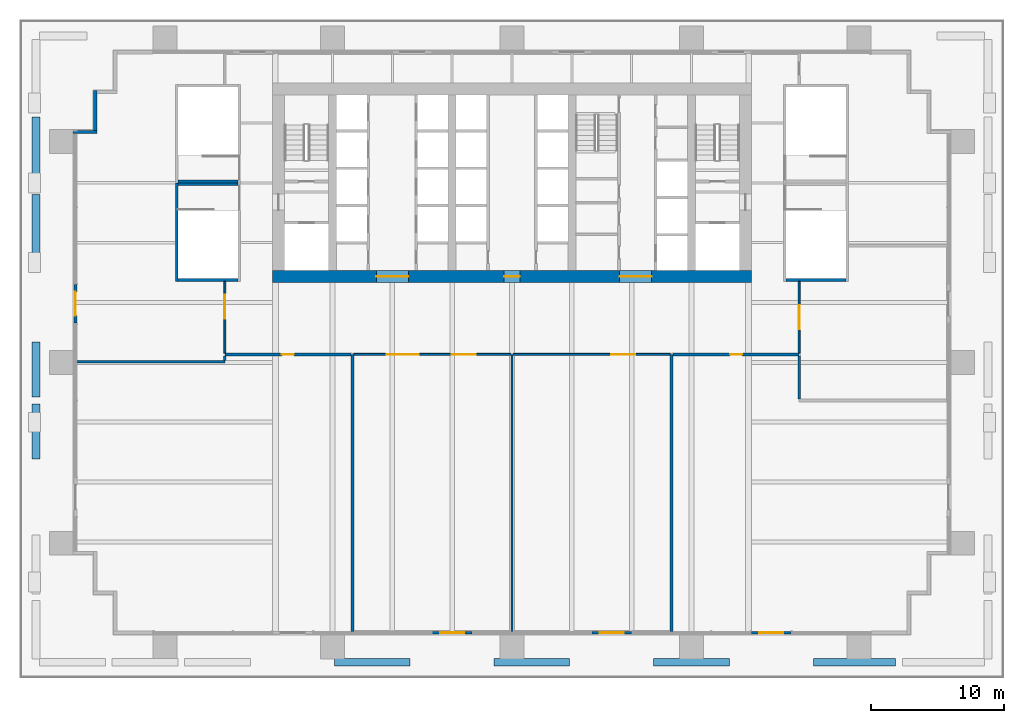
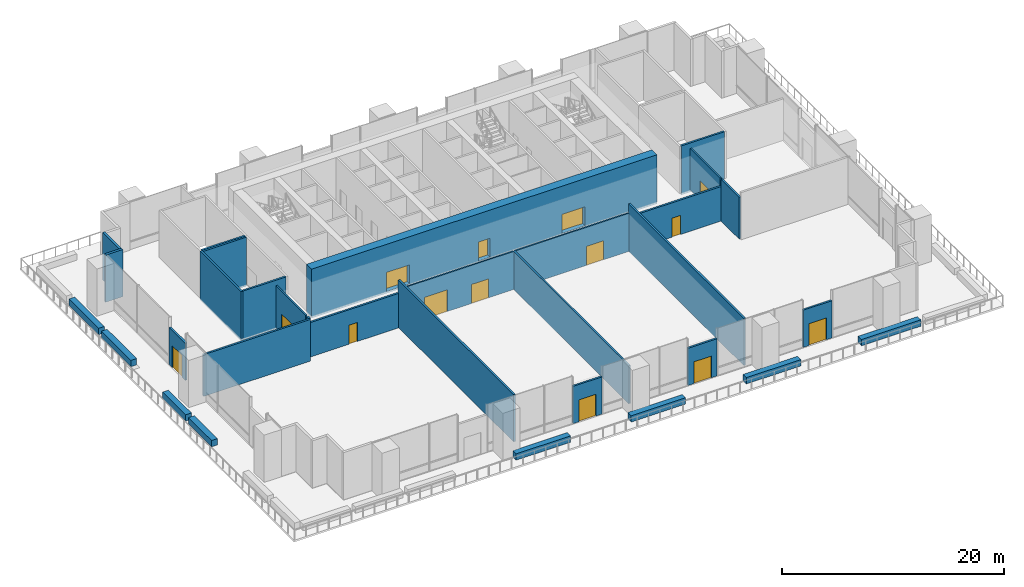
# One storey, part 8 of 16: 32 walls, 13 doors, 1 window, 14 openings.
"""IFC4 building model written with IfcOpenShell, lengths in metres."""

from ifc_helpers import new_model, si_unit, direction, frame, frame_2d, origin, place, context, subcontext, project, spatial, rectangle, extrude, material, layer, layer_set, type_object, element, fill, save


model = new_model("IFC4")

# Units and contexts
model_context = context("Model", 3, precision=1e-05, world=origin(), true_north=direction((0.0, 1.0)))
body_context = subcontext(model_context, "Body", "Model", "MODEL_VIEW")
ifc_project = project(units=[si_unit("LENGTHUNIT", "METRE"), si_unit("AREAUNIT", "SQUARE_METRE"), si_unit("VOLUMEUNIT", "CUBIC_METRE"), si_unit("PLANEANGLEUNIT", "RADIAN"), si_unit("MASSUNIT", "GRAM", prefix="KILO")], contexts=[model_context])

# Site, building, storey
site_placement = place(None, origin())
site = spatial("IfcSite", under=ifc_project, at=site_placement, CompositionType="ELEMENT")
building_placement = place(site_placement, origin())
building = spatial("IfcBuilding", under=site, at=building_placement, Name="Rattan Terrace Tower", CompositionType="ELEMENT")
storey_placement = place(building_placement, frame((0.0, 0.0, 27.0)))
storey = spatial("IfcBuildingStorey", under=building, at=storey_placement, Name="L05", CompositionType="ELEMENT", Elevation=27.0)

# Wall, openings, doors
ifc_material_1 = material(Name="Concrete C70/85", Category="concrete")
ifc_layer_1 = layer(ifc_material_1, 0.89990234375)
ifc_layer_set_1 = layer_set([ifc_layer_1], Name="Core ring wall 900 C70/85")
wall_type_1 = type_object("IfcWallType", Name="Core ring wall 900 C70/85", PredefinedType="SHEAR", material=ifc_layer_set_1)
wall_1_placement = place(storey_placement, frame((-18.0, -7.050048828125, -0.199951171875), z_axis=(0.0, 0.0, 1.0), x_axis=(1.0, 0.0, 0.0)))
wall_1 = element("IfcWall", 1, at=wall_1_placement, inside=storey, type_object=wall_type_1, Name="Rear core wall south", PredefinedType="SHEAR", context=body_context, shape_type="SweptSolid", body=[
    extrude(rectangle(XDim=36.0, YDim=0.89990234375, at=frame_2d((18.0, 0.0))), origin(), (0.0, 0.0, 1.0), 5.39990234375),
])
opening_1_placement = place(wall_1_placement, frame((7.800048828125, 0.0, 0.199951171875)))
opening_1 = element("IfcOpeningElement", 2, at=opening_1_placement, cuts=wall_1, Name="Opening L05-D007", PredefinedType="OPENING", context=body_context, shape_type="SweptSolid", body=[
    extrude(rectangle(XDim=2.39990234375, YDim=2.10009765625, at=frame_2d((1.199951171875, 1.050048828125))), frame((0.0, 0.46044921875, 0.0), z_axis=(0.0, -1.0, 0.0), x_axis=(1.0, 0.0, 0.0)), (0.0, 0.0, 1.0), 0.9208984375),
])
opening_2_placement = place(wall_1_placement, frame((17.39990234375, 0.0, 0.199951171875)))
opening_2 = element("IfcOpeningElement", 3, at=opening_2_placement, cuts=wall_1, Name="Opening L05-D010", PredefinedType="OPENING", context=body_context, shape_type="SweptSolid", body=[
    extrude(rectangle(XDim=1.199951171875, YDim=2.10009765625, at=frame_2d((0.60009765625, 1.050048828125))), frame((0.0, 0.46044921875, 0.0), z_axis=(0.0, -1.0, 0.0), x_axis=(1.0, 0.0, 0.0)), (0.0, 0.0, 1.0), 0.9208984375),
])
opening_3_placement = place(wall_1_placement, frame((26.10009765625, 0.0, 0.199951171875)))
opening_3 = element("IfcOpeningElement", 4, at=opening_3_placement, cuts=wall_1, Name="Opening L05-D015", PredefinedType="OPENING", context=body_context, shape_type="SweptSolid", body=[
    extrude(rectangle(XDim=2.39990234375, YDim=2.10009765625, at=frame_2d((1.199951171875, 1.050048828125))), frame((0.0, 0.46044921875, 0.0), z_axis=(0.0, -1.0, 0.0), x_axis=(1.0, 0.0, 0.0)), (0.0, 0.0, 1.0), 0.9208984375),
])
ifc_material_2 = material(Name="Hollow-metal fire door leaf")
door_type_1 = type_object("IfcDoorType", Name="Core lift lobby door 2400", OperationType="NOTDEFINED", PredefinedType="DOOR", material=ifc_material_2)
door_1_placement = place(opening_1_placement, origin())
door_1 = element("IfcDoor", 5, at=door_1_placement, inside=storey, type_object=door_type_1, Name="Door L05-D007", OperationType="DOUBLE_DOOR_DOUBLE_SWING", OverallHeight=2.10009765625, OverallWidth=2.39990234375, PredefinedType="DOOR", context=body_context, shape_type="SweptSolid", body=[
    extrude(rectangle(XDim=2.39990234375, YDim=2.10009765625, at=frame_2d((1.199951171875, 1.050048828125))), frame((0.0, 0.02490234375, 0.0), z_axis=(0.0, -1.0, 0.0), x_axis=(1.0, 0.0, 0.0)), (0.0, 0.0, 1.0), 0.050048828125),
])
fill(opening_1, door_1)
door_2_placement = place(opening_3_placement, origin())
door_2 = element("IfcDoor", 6, at=door_2_placement, inside=storey, type_object=door_type_1, Name="Door L05-D015", OperationType="DOUBLE_DOOR_DOUBLE_SWING", OverallHeight=2.10009765625, OverallWidth=2.39990234375, PredefinedType="DOOR", context=body_context, shape_type="SweptSolid", body=[
    extrude(rectangle(XDim=2.39990234375, YDim=2.10009765625, at=frame_2d((1.199951171875, 1.050048828125))), frame((0.0, 0.02490234375, 0.0), z_axis=(0.0, -1.0, 0.0), x_axis=(1.0, 0.0, 0.0)), (0.0, 0.0, 1.0), 0.050048828125),
])
fill(opening_3, door_2)
ifc_material_3 = material(Name="Hollow-metal fire door leaf")
door_type_2 = type_object("IfcDoorType", Name="Core riser door 1200", OperationType="NOTDEFINED", PredefinedType="DOOR", material=ifc_material_3)
door_3_placement = place(opening_2_placement, origin())
door_3 = element("IfcDoor", 7, at=door_3_placement, inside=storey, type_object=door_type_2, Name="Door L05-D010", OperationType="SINGLE_SWING_LEFT", OverallHeight=2.10009765625, OverallWidth=1.199951171875, PredefinedType="DOOR", context=body_context, shape_type="SweptSolid", body=[
    extrude(rectangle(XDim=1.199951171875, YDim=2.10009765625, at=frame_2d((0.60009765625, 1.050048828125))), frame((0.0, 0.02490234375, 0.0), z_axis=(0.0, -1.0, 0.0), x_axis=(1.0, 0.0, 0.0)), (0.0, 0.0, 1.0), 0.050048828125),
])
fill(opening_2, door_3)

# Wall, opening, door
ifc_material_4 = material(Name="Insulated aluminium-clad stud wall", Category="aluminium")
ifc_layer_2 = layer(ifc_material_4, 0.199951171875)
ifc_layer_set_2 = layer_set([ifc_layer_2], Name="Facade Door Wall 200")
wall_type_2 = type_object("IfcWallType", Name="Facade Door Wall 200", PredefinedType="SOLIDWALL", material=ifc_layer_set_2)
wall_2_placement = place(storey_placement, frame((-32.830078125, -7.635986328125, 0.0), z_axis=(0.0, 0.0, 1.0), x_axis=(0.0, -1.0, 0.0)))
wall_2 = element("IfcWall", 8, at=wall_2_placement, inside=storey, type_object=wall_type_2, Name="Terrace door wall L05-22", PredefinedType="SOLIDWALL", context=body_context, shape_type="SweptSolid", body=[
    extrude(rectangle(XDim=2.908935546875, YDim=0.199951171875, at=frame_2d((1.45458984375, 0.0))), origin(), (0.0, 0.0, 1.0), 4.10009765625),
])
opening_4_placement = place(wall_2_placement, frame((0.554443359375, 0.0, 0.0)))
opening_4 = element("IfcOpeningElement", 9, at=opening_4_placement, cuts=wall_2, Name="Opening L05-D707", PredefinedType="OPENING", context=body_context, shape_type="SweptSolid", body=[
    extrude(rectangle(XDim=1.800048828125, YDim=2.39990234375, at=frame_2d((0.89990234375, 1.199951171875))), frame((0.0, 0.110595703125, 0.0), z_axis=(0.0, -1.0, 0.0), x_axis=(1.0, 0.0, 0.0)), (0.0, 0.0, 1.0), 0.220947265625),
])
ifc_material_5 = material(Name="Aluminium and clear glass", Category="aluminium")
door_type_3 = type_object("IfcDoorType", Name="Facade Terrace Door 1800", OperationType="DOUBLE_DOOR_SINGLE_SWING", PredefinedType="DOOR", material=ifc_material_5)
door_4_placement = place(opening_4_placement, origin())
door_4 = element("IfcDoor", 10, at=door_4_placement, inside=storey, type_object=door_type_3, Name="Terrace door L05-D707", OperationType="DOUBLE_DOOR_SINGLE_SWING", OverallHeight=2.39990234375, OverallWidth=1.800048828125, PredefinedType="DOOR", context=body_context, shape_type="SweptSolid", body=[
    extrude(rectangle(XDim=1.800048828125, YDim=2.39990234375, at=frame_2d((0.89990234375, 1.199951171875))), frame((0.0, 0.02490234375, 0.0), z_axis=(0.0, -1.0, 0.0), x_axis=(1.0, 0.0, 0.0)), (0.0, 0.0, 1.0), 0.050048828125),
])
fill(opening_4, door_4)

wall_3_placement = place(storey_placement, frame((-6.0, -33.830078125, 0.0), z_axis=(0.0, 0.0, 1.0), x_axis=(1.0, 0.0, 0.0)))
wall_3 = element("IfcWall", 11, at=wall_3_placement, inside=storey, type_object=wall_type_2, Name="Terrace door wall L05-30", PredefinedType="SOLIDWALL", context=body_context, shape_type="SweptSolid", body=[
    extrude(rectangle(XDim=3.0, YDim=0.199951171875, at=frame_2d((1.5, 0.0))), origin(), (0.0, 0.0, 1.0), 4.10009765625),
])
opening_5_placement = place(wall_3_placement, frame((0.60009765625, 0.0, 0.0)))
opening_5 = element("IfcOpeningElement", 12, at=opening_5_placement, cuts=wall_3, Name="Opening L05-D710", PredefinedType="OPENING", context=body_context, shape_type="SweptSolid", body=[
    extrude(rectangle(XDim=1.800048828125, YDim=2.39990234375, at=frame_2d((0.89990234375, 1.199951171875))), frame((0.0, 0.110595703125, 0.0), z_axis=(0.0, -1.0, 0.0), x_axis=(1.0, 0.0, 0.0)), (0.0, 0.0, 1.0), 0.220947265625),
])
door_5_placement = place(opening_5_placement, origin())
door_5 = element("IfcDoor", 13, at=door_5_placement, inside=storey, type_object=door_type_3, Name="Terrace door L05-D710", OperationType="DOUBLE_DOOR_SINGLE_SWING", OverallHeight=2.39990234375, OverallWidth=1.800048828125, PredefinedType="DOOR", context=body_context, shape_type="SweptSolid", body=[
    extrude(rectangle(XDim=1.800048828125, YDim=2.39990234375, at=frame_2d((0.89990234375, 1.199951171875))), frame((0.0, 0.02490234375, 0.0), z_axis=(0.0, -1.0, 0.0), x_axis=(1.0, 0.0, 0.0)), (0.0, 0.0, 1.0), 0.050048828125),
])
fill(opening_5, door_5)

wall_4_placement = place(storey_placement, frame((6.0, -33.830078125, 0.0), z_axis=(0.0, 0.0, 1.0), x_axis=(1.0, 0.0, 0.0)))
wall_4 = element("IfcWall", 14, at=wall_4_placement, inside=storey, type_object=wall_type_2, Name="Terrace door wall L05-31", PredefinedType="SOLIDWALL", context=body_context, shape_type="SweptSolid", body=[
    extrude(rectangle(XDim=3.0, YDim=0.199951171875, at=frame_2d((1.5, 0.0))), origin(), (0.0, 0.0, 1.0), 4.10009765625),
])
opening_6_placement = place(wall_4_placement, frame((0.60009765625, 0.0, 0.0)))
opening_6 = element("IfcOpeningElement", 15, at=opening_6_placement, cuts=wall_4, Name="Opening L05-D711", PredefinedType="OPENING", context=body_context, shape_type="SweptSolid", body=[
    extrude(rectangle(XDim=1.800048828125, YDim=2.39990234375, at=frame_2d((0.89990234375, 1.199951171875))), frame((0.0, 0.110595703125, 0.0), z_axis=(0.0, -1.0, 0.0), x_axis=(1.0, 0.0, 0.0)), (0.0, 0.0, 1.0), 0.220947265625),
])
door_6_placement = place(opening_6_placement, origin())
door_6 = element("IfcDoor", 16, at=door_6_placement, inside=storey, type_object=door_type_3, Name="Terrace door L05-D711", OperationType="DOUBLE_DOOR_SINGLE_SWING", OverallHeight=2.39990234375, OverallWidth=1.800048828125, PredefinedType="DOOR", context=body_context, shape_type="SweptSolid", body=[
    extrude(rectangle(XDim=1.800048828125, YDim=2.39990234375, at=frame_2d((0.89990234375, 1.199951171875))), frame((0.0, 0.02490234375, 0.0), z_axis=(0.0, -1.0, 0.0), x_axis=(1.0, 0.0, 0.0)), (0.0, 0.0, 1.0), 0.050048828125),
])
fill(opening_6, door_6)

wall_5_placement = place(storey_placement, frame((18.0, -33.830078125, 0.0), z_axis=(0.0, 0.0, 1.0), x_axis=(1.0, 0.0, 0.0)))
wall_5 = element("IfcWall", 17, at=wall_5_placement, inside=storey, type_object=wall_type_2, Name="Terrace door wall L05-32", PredefinedType="SOLIDWALL", context=body_context, shape_type="SweptSolid", body=[
    extrude(rectangle(XDim=3.0, YDim=0.199951171875, at=frame_2d((1.5, 0.0))), origin(), (0.0, 0.0, 1.0), 4.10009765625),
])
opening_7_placement = place(wall_5_placement, frame((0.60009765625, 0.0, 0.0)))
opening_7 = element("IfcOpeningElement", 18, at=opening_7_placement, cuts=wall_5, Name="Opening L05-D712", PredefinedType="OPENING", context=body_context, shape_type="SweptSolid", body=[
    extrude(rectangle(XDim=1.800048828125, YDim=2.39990234375, at=frame_2d((0.89990234375, 1.199951171875))), frame((0.0, 0.110595703125, 0.0), z_axis=(0.0, -1.0, 0.0), x_axis=(1.0, 0.0, 0.0)), (0.0, 0.0, 1.0), 0.220947265625),
])
door_7_placement = place(opening_7_placement, origin())
door_7 = element("IfcDoor", 19, at=door_7_placement, inside=storey, type_object=door_type_3, Name="Terrace door L05-D712", OperationType="DOUBLE_DOOR_SINGLE_SWING", OverallHeight=2.39990234375, OverallWidth=1.800048828125, PredefinedType="DOOR", context=body_context, shape_type="SweptSolid", body=[
    extrude(rectangle(XDim=1.800048828125, YDim=2.39990234375, at=frame_2d((0.89990234375, 1.199951171875))), frame((0.0, 0.02490234375, 0.0), z_axis=(0.0, -1.0, 0.0), x_axis=(1.0, 0.0, 0.0)), (0.0, 0.0, 1.0), 0.050048828125),
])
fill(opening_7, door_7)

# Walls
ifc_material_6 = material(Name="Precast concrete C30/37", Category="concrete")
ifc_layer_3 = layer(ifc_material_6, 0.60009765625)
ifc_layer_set_3 = layer_set([ifc_layer_3], Name="Facade Planter Wall 600")
wall_type_3 = type_object("IfcWallType", Name="Facade Planter Wall 600", PredefinedType="SOLIDWALL", material=ifc_layer_set_3)
wall_6_placement = place(storey_placement, frame((-35.800048828125, -20.77294921875, 0.0), z_axis=(0.0, 0.0, 1.0), x_axis=(0.0, 1.0, 0.0)))
element("IfcWall", 20, at=wall_6_placement, inside=storey, type_object=wall_type_3, Name="PLANTER bed L05-6", PredefinedType="SOLIDWALL", context=body_context, shape_type="SweptSolid", body=[
    extrude(rectangle(XDim=4.159912109375, YDim=0.60009765625, at=frame_2d((2.080078125, 0.0))), origin(), (0.0, 0.0, 1.0), 0.699951171875),
])
wall_7_placement = place(storey_placement, frame((-35.800048828125, -16.113037109375, 0.0), z_axis=(0.0, 0.0, 1.0), x_axis=(0.0, 1.0, 0.0)))
element("IfcWall", 21, at=wall_7_placement, inside=storey, type_object=wall_type_3, Name="PLANTER bed L05-7", PredefinedType="SOLIDWALL", context=body_context, shape_type="SweptSolid", body=[
    extrude(rectangle(XDim=4.1611328125, YDim=0.60009765625, at=frame_2d((2.08056640625, 0.0))), origin(), (0.0, 0.0, 1.0), 0.699951171875),
])
wall_8_placement = place(storey_placement, frame((-35.800048828125, -6.22802734375, 0.0), z_axis=(0.0, 0.0, 1.0), x_axis=(0.0, 1.0, 0.0)))
element("IfcWall", 22, at=wall_8_placement, inside=storey, type_object=wall_type_3, Name="PLANTER bed L05-8", PredefinedType="SOLIDWALL", context=body_context, shape_type="SweptSolid", body=[
    extrude(rectangle(XDim=5.343017578125, YDim=0.60009765625, at=frame_2d((2.67138671875, 0.0))), origin(), (0.0, 0.0, 1.0), 0.699951171875),
])
wall_9_placement = place(storey_placement, frame((-35.800048828125, -0.385009765625, 0.0), z_axis=(0.0, 0.0, 1.0), x_axis=(0.0, 1.0, 0.0)))
element("IfcWall", 23, at=wall_9_placement, inside=storey, type_object=wall_type_3, Name="PLANTER bed L05-9", PredefinedType="SOLIDWALL", context=body_context, shape_type="SweptSolid", body=[
    extrude(rectangle(XDim=5.342041015625, YDim=0.60009765625, at=frame_2d((2.6708984375, 0.0))), origin(), (0.0, 0.0, 1.0), 0.699951171875),
])
for number, where, z_axis, x_axis, name in (
    (24, (-7.658935546875, -36.050048828125, 0.0), (0.0, 0.0, 1.0), (-1.0, 0.0, 0.0), "PLANTER bed L05-12"),
    (25, (4.341064453125, -36.050048828125, 0.0), (0.0, 0.0, 1.0), (-1.0, 0.0, 0.0), "PLANTER bed L05-13"),
    (26, (16.341064453125, -36.050048828125, 0.0), (0.0, 0.0, 1.0), (-1.0, 0.0, 0.0), "PLANTER bed L05-14"),
):
    element("IfcWall", number, at=place(storey_placement, frame(where, z_axis=z_axis, x_axis=x_axis)), inside=storey, type_object=wall_type_3, Name=name, PredefinedType="SOLIDWALL", context=body_context, shape_type="SweptSolid", body=[
        extrude(rectangle(XDim=5.68212890625, YDim=0.60009765625, at=frame_2d((2.841064453125, 0.0))), origin(), (0.0, 0.0, 1.0), 0.699951171875),
    ])
wall_10_placement = place(storey_placement, frame((28.85400390625, -36.050048828125, 0.0), z_axis=(0.0, 0.0, 1.0), x_axis=(-1.0, 0.0, 0.0)))
element("IfcWall", 27, at=wall_10_placement, inside=storey, type_object=wall_type_3, Name="PLANTER bed L05-18", PredefinedType="SOLIDWALL", context=body_context, shape_type="SweptSolid", body=[
    extrude(rectangle(XDim=6.195068359375, YDim=0.60009765625, at=frame_2d((3.09765625, 0.0))), origin(), (0.0, 0.0, 1.0), 0.699951171875),
])
ifc_material_7 = material(Name="Insulated aluminium-clad stud wall", Category="aluminium")
ifc_layer_4 = layer(ifc_material_7, 0.25)
ifc_layer_set_4 = layer_set([ifc_layer_4], Name="Facade Riser Wall 250")
wall_type_4 = type_object("IfcWallType", Name="Facade Riser Wall 250", PredefinedType="SOLIDWALL", material=ifc_layer_set_4)
wall_11_placement = place(storey_placement, frame((-31.330078125, 6.955078125, 0.0), z_axis=(0.0, 0.0, 1.0), x_axis=(0.0, -1.0, 0.0)))
element("IfcWall", 28, at=wall_11_placement, inside=storey, type_object=wall_type_4, Name="Riser wall L05-20", PredefinedType="SOLIDWALL", context=body_context, shape_type="SweptSolid", body=[
    extrude(rectangle(XDim=3.0, YDim=0.25, at=frame_2d((1.5, 0.0))), origin(), (0.0, 0.0, 1.0), 5.199951171875),
])
wall_12_placement = place(storey_placement, frame((-31.205078125, 3.830078125, 0.0), z_axis=(0.0, 0.0, 1.0), x_axis=(-1.0, 0.0, 0.0)))
element("IfcWall", 29, at=wall_12_placement, inside=storey, type_object=wall_type_4, Name="Riser wall L05-21", PredefinedType="SOLIDWALL", context=body_context, shape_type="SweptSolid", body=[
    extrude(rectangle(XDim=1.7998046875, YDim=0.25, at=frame_2d((0.89990234375, 0.0))), origin(), (0.0, 0.0, 1.0), 5.199951171875),
])
ifc_material_8 = material(Name="Double steel stud acoustic partition, gypsum board, mineral wool, fire rated", Category="steel")
ifc_layer_5 = layer(ifc_material_8, 0.179931640625)
ifc_layer_set_5 = layer_set([ifc_layer_5], Name="Floors Acoustic Party Wall 180")
wall_type_5 = type_object("IfcWallType", Name="Floors Acoustic Party Wall 180", PredefinedType="PARTITIONING", material=ifc_layer_set_5)
wall_13_placement = place(storey_placement, frame((0.0, -12.89990234375, 0.0), z_axis=(0.0, 0.0, 1.0), x_axis=(0.0, -1.0, 0.0)))
element("IfcWall", 30, at=wall_13_placement, inside=storey, type_object=wall_type_5, Name="pt-L05-011", PredefinedType="PARTITIONING", context=body_context, shape_type="SweptSolid", body=[
    extrude(rectangle(XDim=20.840087890625, YDim=0.179931640625, at=frame_2d((10.419921875, 0.0))), origin(), (0.0, 0.0, 1.0), 4.199951171875),
])

# Wall, opening, door
ifc_material_9 = material(Name="Concrete block wall, plastered", Category="concrete")
ifc_layer_6 = layer(ifc_material_9, 0.199951171875)
ifc_layer_set_6 = layer_set([ifc_layer_6], Name="Floors Plant Wall 200")
wall_type_6 = type_object("IfcWallType", Name="Floors Plant Wall 200", PredefinedType="PARTITIONING", material=ifc_layer_set_6)
wall_14_placement = place(storey_placement, frame((21.60009765625, -12.89990234375, 0.0), z_axis=(0.0, 0.0, 1.0), x_axis=(-1.0, 0.0, 0.0)))
wall_14 = element("IfcWall", 31, at=wall_14_placement, inside=storey, type_object=wall_type_6, Name="pt-L05-005", PredefinedType="PARTITIONING", context=body_context, shape_type="SweptSolid", body=[
    extrude(rectangle(XDim=9.5, YDim=0.199951171875, at=frame_2d((4.75, 0.0))), origin(), (0.0, 0.0, 1.0), 3.800048828125),
])
opening_8_placement = place(wall_14_placement, frame((4.300048828125, 0.0, 0.0)))
opening_8 = element("IfcOpeningElement", 32, at=opening_8_placement, cuts=wall_14, Name="Opening L05-D103", PredefinedType="OPENING", context=body_context, shape_type="SweptSolid", body=[
    extrude(rectangle(XDim=0.89990234375, YDim=2.10009765625, at=frame_2d((0.449951171875, 1.050048828125))), frame((0.0, 0.110595703125, 0.0), z_axis=(0.0, -1.0, 0.0), x_axis=(1.0, 0.0, 0.0)), (0.0, 0.0, 1.0), 0.220947265625),
])
ifc_material_10 = material(Name="Steel fire door set", Category="steel")
door_type_4 = type_object("IfcDoorType", Name="Floors Fire Door FD60 900x2100", OperationType="NOTDEFINED", PredefinedType="DOOR", material=ifc_material_10)
door_8_placement = place(opening_8_placement, origin())
door_8 = element("IfcDoor", 33, at=door_8_placement, inside=storey, type_object=door_type_4, Name="d-L05-103", OperationType="SINGLE_SWING_RIGHT", OverallHeight=2.10009765625, OverallWidth=0.89990234375, PredefinedType="DOOR", context=body_context, shape_type="SweptSolid", body=[
    extrude(rectangle(XDim=0.89990234375, YDim=2.10009765625, at=frame_2d((0.449951171875, 1.050048828125))), frame((0.0, 0.02490234375, 0.0), z_axis=(0.0, -1.0, 0.0), x_axis=(1.0, 0.0, 0.0)), (0.0, 0.0, 1.0), 0.050048828125),
])
fill(opening_8, door_8)

wall_15_placement = place(storey_placement, frame((-12.10009765625, -12.89990234375, 0.0), z_axis=(0.0, 0.0, 1.0), x_axis=(-1.0, 0.0, 0.0)))
wall_15 = element("IfcWall", 34, at=wall_15_placement, inside=storey, type_object=wall_type_6, Name="pt-L05-006", PredefinedType="PARTITIONING", context=body_context, shape_type="SweptSolid", body=[
    extrude(rectangle(XDim=9.5, YDim=0.199951171875, at=frame_2d((4.75, 0.0))), origin(), (0.0, 0.0, 1.0), 3.800048828125),
])
opening_9_placement = place(wall_15_placement, frame((4.300048828125, 0.0, 0.0)))
opening_9 = element("IfcOpeningElement", 35, at=opening_9_placement, cuts=wall_15, Name="Opening L05-D104", PredefinedType="OPENING", context=body_context, shape_type="SweptSolid", body=[
    extrude(rectangle(XDim=0.89990234375, YDim=2.10009765625, at=frame_2d((0.449951171875, 1.050048828125))), frame((0.0, 0.110595703125, 0.0), z_axis=(0.0, -1.0, 0.0), x_axis=(1.0, 0.0, 0.0)), (0.0, 0.0, 1.0), 0.220947265625),
])
door_9_placement = place(opening_9_placement, origin())
door_9 = element("IfcDoor", 36, at=door_9_placement, inside=storey, type_object=door_type_4, Name="d-L05-104", OperationType="SINGLE_SWING_LEFT", OverallHeight=2.10009765625, OverallWidth=0.89990234375, PredefinedType="DOOR", context=body_context, shape_type="SweptSolid", body=[
    extrude(rectangle(XDim=0.89990234375, YDim=2.10009765625, at=frame_2d((0.449951171875, 1.050048828125))), frame((0.0, 0.02490234375, 0.0), z_axis=(0.0, -1.0, 0.0), x_axis=(1.0, 0.0, 0.0)), (0.0, 0.0, 1.0), 0.050048828125),
])
fill(opening_9, door_9)

# Walls
wall_16_placement = place(storey_placement, frame((-21.60107421875, -13.0, 0.0), z_axis=(0.0, 0.0, 1.0), x_axis=(0.0, -1.0, 0.0)))
element("IfcWall", 37, at=wall_16_placement, inside=storey, type_object=wall_type_6, Name="pt-L05-009", PredefinedType="PARTITIONING", context=body_context, shape_type="SweptSolid", body=[
    extrude(rectangle(XDim=0.35498046875, YDim=0.199951171875, at=frame_2d((0.177490234375, 0.0))), origin(), (0.0, 0.0, 1.0), 4.60009765625),
])
wall_17_placement = place(storey_placement, frame((-21.60009765625, -13.455078125, 0.0), z_axis=(0.0, 0.0, 1.0), x_axis=(-1.0, 0.0, 0.0)))
element("IfcWall", 38, at=wall_17_placement, inside=storey, type_object=wall_type_6, Name="pt-L05-010", PredefinedType="PARTITIONING", context=body_context, shape_type="SweptSolid", body=[
    extrude(rectangle(XDim=11.139892578125, YDim=0.199951171875, at=frame_2d((5.56982421875, 0.0))), origin(), (0.0, 0.0, 1.0), 4.60009765625),
])
for number, where, z_axis, x_axis, name in (
    (39, (-12.0, -33.739990234375, 0.0), (0.0, 0.0, 1.0), (0.0, 1.0, 0.0), "pt-L05-012"),
    (40, (12.0, -12.89990234375, 0.0), (0.0, 0.0, 1.0), (0.0, -1.0, 0.0), "pt-L05-013"),
):
    element("IfcWall", number, at=place(storey_placement, frame(where, z_axis=z_axis, x_axis=x_axis)), inside=storey, type_object=wall_type_6, Name=name, PredefinedType="PARTITIONING", context=body_context, shape_type="SweptSolid", body=[
        extrude(rectangle(XDim=20.840087890625, YDim=0.199951171875, at=frame_2d((10.419921875, 0.0))), origin(), (0.0, 0.0, 1.0), 5.199951171875),
    ])
wall_18_placement = place(storey_placement, frame((21.60009765625, -13.0, 0.0), z_axis=(0.0, 0.0, 1.0), x_axis=(0.0, -1.0, 0.0)))
element("IfcWall", 41, at=wall_18_placement, inside=storey, type_object=wall_type_6, Name="pt-L05-014", PredefinedType="PARTITIONING", context=body_context, shape_type="SweptSolid", body=[
    extrude(rectangle(XDim=3.263916015625, YDim=0.199951171875, at=frame_2d((1.6318359375, 0.0))), origin(), (0.0, 0.0, 1.0), 4.60009765625),
])

# Wall, opening, door
ifc_material_11 = material(Name="Gypsum board partition on steel studs, fire rated", Category="steel")
ifc_layer_7 = layer(ifc_material_11, 0.14990234375)
ifc_layer_set_7 = layer_set([ifc_layer_7], Name="Floors Tenancy Wall 150")
wall_type_7 = type_object("IfcWallType", Name="Floors Tenancy Wall 150", PredefinedType="PARTITIONING", material=ifc_layer_set_7)
wall_19_placement = place(storey_placement, frame((-21.60009765625, -12.800048828125, 0.0), z_axis=(0.0, 0.0, 1.0), x_axis=(0.0, 1.0, 0.0)))
wall_19 = element("IfcWall", 42, at=wall_19_placement, inside=storey, type_object=wall_type_7, Name="pt-L05-001", PredefinedType="PARTITIONING", context=body_context, shape_type="SweptSolid", body=[
    extrude(rectangle(XDim=5.400146484375, YDim=0.14990234375, at=frame_2d((2.7001953125, 0.0))), origin(), (0.0, 0.0, 1.0), 4.60009765625),
])
opening_10_placement = place(wall_19_placement, frame((2.574951171875, 0.0, 0.0)))
opening_10 = element("IfcOpeningElement", 43, at=opening_10_placement, cuts=wall_19, Name="Opening L05-D100", PredefinedType="OPENING", context=body_context, shape_type="SweptSolid", body=[
    extrude(rectangle(XDim=1.800048828125, YDim=2.10009765625, at=frame_2d((0.89990234375, 1.050048828125))), frame((0.0, 0.08544921875, 0.0), z_axis=(0.0, -1.0, 0.0), x_axis=(1.0, 0.0, 0.0)), (0.0, 0.0, 1.0), 0.1708984375),
])
ifc_material_12 = material(Name="Steel fire door set", Category="steel")
door_type_5 = type_object("IfcDoorType", Name="Floors Fire Door Pair FD30S 1800x2100", OperationType="NOTDEFINED", PredefinedType="DOOR", material=ifc_material_12)
door_10_placement = place(opening_10_placement, origin())
door_10 = element("IfcDoor", 44, at=door_10_placement, inside=storey, type_object=door_type_5, Name="d-L05-100", OperationType="DOUBLE_DOOR_SINGLE_SWING", OverallHeight=2.10009765625, OverallWidth=1.800048828125, PredefinedType="DOOR", context=body_context, shape_type="SweptSolid", body=[
    extrude(rectangle(XDim=1.800048828125, YDim=2.10009765625, at=frame_2d((0.89990234375, 1.050048828125))), frame((0.0, 0.02490234375, 0.0), z_axis=(0.0, -1.0, 0.0), x_axis=(1.0, 0.0, 0.0)), (0.0, 0.0, 1.0), 0.050048828125),
])
fill(opening_10, door_10)

# Wall, openings, door, window
wall_20_placement = place(storey_placement, frame((-0.090087890625, -12.89990234375, 0.0), z_axis=(0.0, 0.0, 1.0), x_axis=(-1.0, 0.0, 0.0)))
wall_20 = element("IfcWall", 45, at=wall_20_placement, inside=storey, type_object=wall_type_7, Name="pt-L05-003", PredefinedType="PARTITIONING", context=body_context, shape_type="SweptSolid", body=[
    extrude(rectangle(XDim=11.809814453125, YDim=0.14990234375, at=frame_2d((5.90478515625, 0.0))), origin(), (0.0, 0.0, 1.0), 4.199951171875),
])
opening_11_placement = place(wall_20_placement, frame((2.626953125, 0.0, 0.0)))
opening_11 = element("IfcOpeningElement", 46, at=opening_11_placement, cuts=wall_20, Name="Opening L05-D101", PredefinedType="OPENING", context=body_context, shape_type="SweptSolid", body=[
    extrude(rectangle(XDim=1.800048828125, YDim=2.10009765625, at=frame_2d((0.89990234375, 1.050048828125))), frame((0.0, 0.08544921875, 0.0), z_axis=(0.0, -1.0, 0.0), x_axis=(1.0, 0.0, 0.0)), (0.0, 0.0, 1.0), 0.1708984375),
])
opening_12_placement = place(wall_20_placement, frame((6.9189453125, 0.0, 0.0)))
opening_12 = element("IfcOpeningElement", 47, at=opening_12_placement, cuts=wall_20, Name="Opening L05-W100", PredefinedType="OPENING", context=body_context, shape_type="SweptSolid", body=[
    extrude(rectangle(XDim=2.39990234375, YDim=2.39990234375, at=frame_2d((1.199951171875, 1.199951171875))), frame((0.0, 0.08544921875, 0.0), z_axis=(0.0, -1.0, 0.0), x_axis=(1.0, 0.0, 0.0)), (0.0, 0.0, 1.0), 0.1708984375),
])
door_11_placement = place(opening_11_placement, origin())
door_11 = element("IfcDoor", 48, at=door_11_placement, inside=storey, type_object=door_type_5, Name="d-L05-101", OperationType="DOUBLE_DOOR_SINGLE_SWING", OverallHeight=2.10009765625, OverallWidth=1.800048828125, PredefinedType="DOOR", context=body_context, shape_type="SweptSolid", body=[
    extrude(rectangle(XDim=1.800048828125, YDim=2.10009765625, at=frame_2d((0.89990234375, 1.050048828125))), frame((0.0, 0.02490234375, 0.0), z_axis=(0.0, -1.0, 0.0), x_axis=(1.0, 0.0, 0.0)), (0.0, 0.0, 1.0), 0.050048828125),
])
fill(opening_11, door_11)
ifc_material_13 = material(Name="Glass, clear, fixed in aluminium frame", Category="aluminium")
window_type = type_object("IfcWindowType", Name="Interior Glazed Screen 2400x2400", PartitioningType="SINGLE_PANEL", PredefinedType="WINDOW", material=ifc_material_13)
window_placement = place(opening_12_placement, origin())
window = element("IfcWindow", 49, at=window_placement, inside=storey, type_object=window_type, Name="w-L05-100", OverallHeight=2.39990234375, OverallWidth=2.39990234375, PartitioningType="SINGLE_PANEL", PredefinedType="WINDOW", context=body_context, shape_type="SweptSolid", body=[
    extrude(rectangle(XDim=2.39990234375, YDim=2.39990234375, at=frame_2d((1.199951171875, 1.199951171875))), frame((0.0, 0.030029296875, 0.0), z_axis=(0.0, -1.0, 0.0), x_axis=(1.0, 0.0, 0.0)), (0.0, 0.0, 1.0), 0.06005859375),
])
fill(opening_12, window)

# Wall, opening, door
wall_21_placement = place(storey_placement, frame((11.89990234375, -12.89990234375, 0.0), z_axis=(0.0, 0.0, 1.0), x_axis=(-1.0, 0.0, 0.0)))
wall_21 = element("IfcWall", 50, at=wall_21_placement, inside=storey, type_object=wall_type_7, Name="pt-L05-004", PredefinedType="PARTITIONING", context=body_context, shape_type="SweptSolid", body=[
    extrude(rectangle(XDim=11.809814453125, YDim=0.14990234375, at=frame_2d((5.90478515625, 0.0))), origin(), (0.0, 0.0, 1.0), 4.199951171875),
])
opening_13_placement = place(wall_21_placement, frame((2.626953125, 0.0, 0.0)))
opening_13 = element("IfcOpeningElement", 51, at=opening_13_placement, cuts=wall_21, Name="Opening L05-D102", PredefinedType="OPENING", context=body_context, shape_type="SweptSolid", body=[
    extrude(rectangle(XDim=1.800048828125, YDim=2.10009765625, at=frame_2d((0.89990234375, 1.050048828125))), frame((0.0, 0.08544921875, 0.0), z_axis=(0.0, -1.0, 0.0), x_axis=(1.0, 0.0, 0.0)), (0.0, 0.0, 1.0), 0.1708984375),
])
door_12_placement = place(opening_13_placement, origin())
door_12 = element("IfcDoor", 52, at=door_12_placement, inside=storey, type_object=door_type_5, Name="d-L05-102", OperationType="DOUBLE_DOOR_SINGLE_SWING", OverallHeight=2.10009765625, OverallWidth=1.800048828125, PredefinedType="DOOR", context=body_context, shape_type="SweptSolid", body=[
    extrude(rectangle(XDim=1.800048828125, YDim=2.10009765625, at=frame_2d((0.89990234375, 1.050048828125))), frame((0.0, 0.02490234375, 0.0), z_axis=(0.0, -1.0, 0.0), x_axis=(1.0, 0.0, 0.0)), (0.0, 0.0, 1.0), 0.050048828125),
])
fill(opening_13, door_12)

wall_22_placement = place(storey_placement, frame((21.60009765625, -7.39990234375, 0.0), z_axis=(0.0, 0.0, 1.0), x_axis=(0.0, -1.0, 0.0)))
wall_22 = element("IfcWall", 53, at=wall_22_placement, inside=storey, type_object=wall_type_7, Name="pt-L05-007", PredefinedType="PARTITIONING", context=body_context, shape_type="SweptSolid", body=[
    extrude(rectangle(XDim=5.400146484375, YDim=0.14990234375, at=frame_2d((2.7001953125, 0.0))), origin(), (0.0, 0.0, 1.0), 4.60009765625),
])
opening_14_placement = place(wall_22_placement, frame((1.800048828125, 0.0, 0.0)))
opening_14 = element("IfcOpeningElement", 54, at=opening_14_placement, cuts=wall_22, Name="Opening L05-D105", PredefinedType="OPENING", context=body_context, shape_type="SweptSolid", body=[
    extrude(rectangle(XDim=1.800048828125, YDim=2.10009765625, at=frame_2d((0.89990234375, 1.050048828125))), frame((0.0, 0.08544921875, 0.0), z_axis=(0.0, -1.0, 0.0), x_axis=(1.0, 0.0, 0.0)), (0.0, 0.0, 1.0), 0.1708984375),
])
door_13_placement = place(opening_14_placement, origin())
door_13 = element("IfcDoor", 55, at=door_13_placement, inside=storey, type_object=door_type_5, Name="d-L05-105", OperationType="DOUBLE_DOOR_SINGLE_SWING", OverallHeight=2.10009765625, OverallWidth=1.800048828125, PredefinedType="DOOR", context=body_context, shape_type="SweptSolid", body=[
    extrude(rectangle(XDim=1.800048828125, YDim=2.10009765625, at=frame_2d((0.89990234375, 1.050048828125))), frame((0.0, 0.02490234375, 0.0), z_axis=(0.0, -1.0, 0.0), x_axis=(1.0, 0.0, 0.0)), (0.0, 0.0, 1.0), 0.050048828125),
])
fill(opening_14, door_13)

# Walls
ifc_material_14 = material(Name="Concrete C40/50", Category="concrete")
ifc_layer_8 = layer(ifc_material_14, 0.199951171875)
ifc_layer_set_8 = layer_set([ifc_layer_8], Name="Podium exit stair shaft wall 200")
wall_type_8 = type_object("IfcWallType", Name="Podium exit stair shaft wall 200", PredefinedType="SHEAR", material=ifc_layer_set_8)
wall_23_placement = place(storey_placement, frame((-25.199951171875, -7.39990234375, -0.199951171875), z_axis=(0.0, 0.0, 1.0), x_axis=(0.0, 1.0, 0.0)))
element("IfcWall", 56, at=wall_23_placement, inside=storey, type_object=wall_type_8, Name="L05 stair S4 shaft wall", PredefinedType="SHEAR", context=body_context, shape_type="SweptSolid", body=[
    extrude(rectangle(XDim=7.39990234375, YDim=0.199951171875, at=frame_2d((3.699951171875, 0.0))), origin(), (0.0, 0.0, 1.0), 5.39990234375),
])
for number, where, z_axis, x_axis, name in (
    (57, (-25.10009765625, -0.10009765625, -0.199951171875), (0.0, 0.0, 1.0), (1.0, 0.0, 0.0), "L05 stair S4 shaft wall"),
    (58, (-25.10009765625, -7.300048828125, -0.199951171875), (0.0, 0.0, 1.0), (1.0, 0.0, 0.0), "L05 stair S4 shaft wall"),
    (59, (-25.10009765625, 0.10009765625, -0.199951171875), (0.0, 0.0, 1.0), (1.0, 0.0, 0.0), "L05 stair S5 shaft wall"),
    (60, (20.60009765625, -7.300048828125, -0.199951171875), (0.0, 0.0, 1.0), (1.0, 0.0, 0.0), "L05 stair S6 shaft wall"),
):
    element("IfcWall", number, at=place(storey_placement, frame(where, z_axis=z_axis, x_axis=x_axis)), inside=storey, type_object=wall_type_8, Name=name, PredefinedType="SHEAR", context=body_context, shape_type="SweptSolid", body=[
        extrude(rectangle(XDim=4.5, YDim=0.199951171875, at=frame_2d((2.25, 0.0))), origin(), (0.0, 0.0, 1.0), 5.39990234375),
    ])

save(model, "model.ifc")
